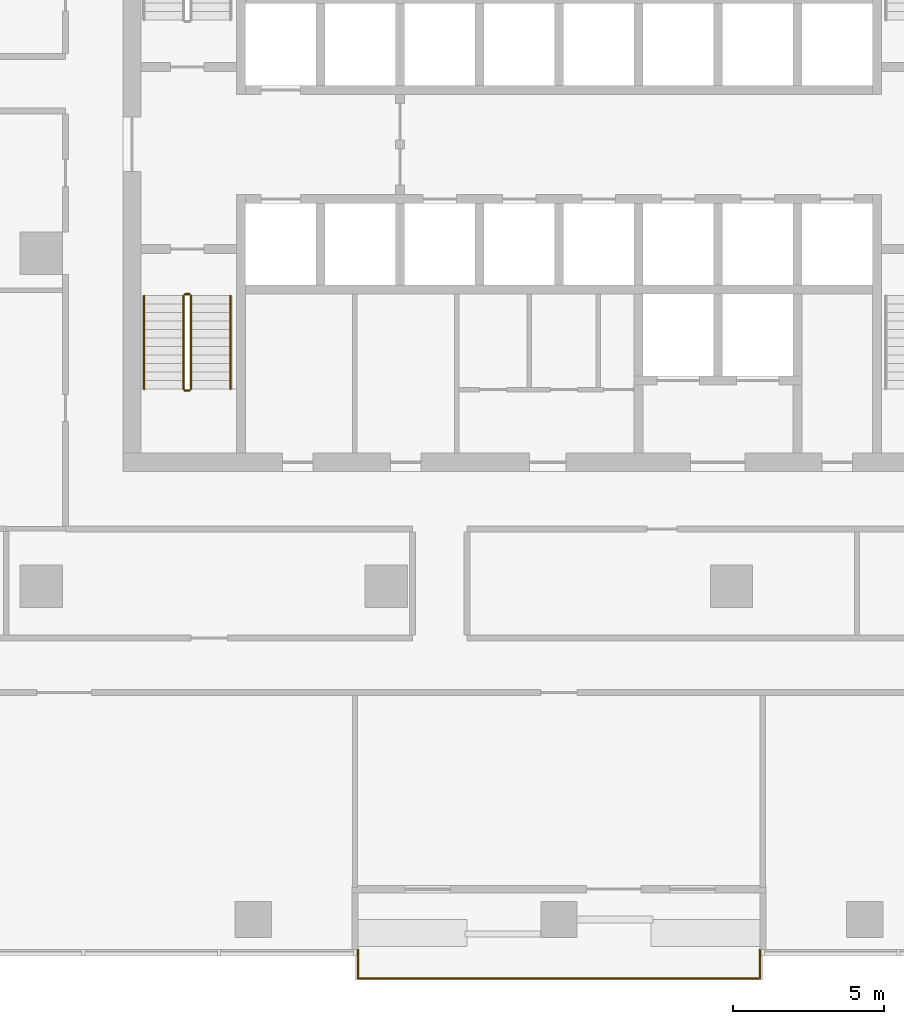
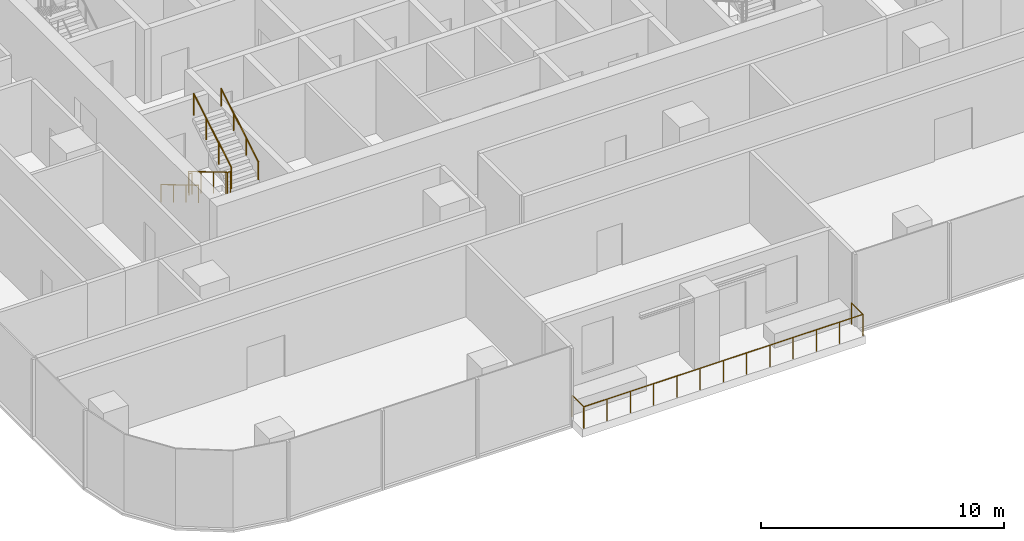
# One storey, part 12 of 15: 6 railings.
"""IFC4 building model written with IfcOpenShell, lengths in metres."""

import ifcopenshell
import ifcopenshell.guid

model = None  # the IFC model being written
_history = None  # IfcOwnerHistory: only IFC2X3 demands one
_inside = {}  # id of a spatial element -> (the spatial element, [elements in it])
_under = {}  # id of a project, library or spatial element -> (it, [spatial elements below it])
_declared = {}  # id of a project -> (the project, [libraries it declares])
_typed = {}  # id of a type object -> (the type object, [elements of that type])
_made_of = {}  # id of a material, layer set ... -> (it, [elements and type objects made of it])


def new_model(schema):
    """Start an empty IFC model of exactly this schema.

    Asked for "IFC4X3", IfcOpenShell would pick the latest addendum, in which some entities
    have other attributes; the version numbers below select the first issue.
    IFC2X3 requires an IfcOwnerHistory on every rooted entity: one is made here for all.
    """
    global model, _history
    if schema == "IFC4X3":
        model = ifcopenshell.file(schema_version=(4, 3, 0, 0))
    else:
        model = ifcopenshell.file(schema=schema)
    _inside.clear()
    _under.clear()
    _declared.clear()
    _typed.clear()
    _made_of.clear()
    _history = None
    if model.schema == "IFC2X3":
        org = make("IfcOrganization", Name="unknown")
        user = make(
            "IfcPersonAndOrganization",
            ThePerson=make("IfcPerson", FamilyName="unknown"),
            TheOrganization=org,
        )
        app = make(
            "IfcApplication",
            ApplicationDeveloper=org,
            Version="unknown",
            ApplicationFullName="unknown",
            ApplicationIdentifier="unknown",
        )
        _history = make(
            "IfcOwnerHistory",
            OwningUser=user,
            OwningApplication=app,
            ChangeAction="ADDED",
            CreationDate=0,
        )
    return model


def make(cls, **values):
    """One entity of the class cls with the attributes given. An attribute that is None is left unset."""
    return model.create_entity(
        cls, **{name: value for name, value in values.items() if value is not None}
    )


def rooted(cls, **values):
    """An entity with a GlobalId (a new one), such as an element, a storey or a relation."""
    return make(cls, GlobalId=ifcopenshell.guid.new(), OwnerHistory=_history, **values)


def si_unit(unit_type, name, prefix=None):
    """IfcSIUnit, for example si_unit("LENGTHUNIT", "METRE", prefix="MILLI")."""
    return make("IfcSIUnit", UnitType=unit_type, Prefix=prefix, Name=name)


def assignment(units):
    """IfcUnitAssignment: the units of a project."""
    return None if units is None else make("IfcUnitAssignment", Units=units)


def point(xyz):
    """IfcCartesianPoint."""
    return None if xyz is None else make("IfcCartesianPoint", Coordinates=xyz)


def direction(xyz):
    """IfcDirection."""
    return None if xyz is None else make("IfcDirection", DirectionRatios=xyz)


def frame(location, z_axis=None, x_axis=None):
    """IfcAxis2Placement3D, a coordinate frame: its origin and axes. An axis left out is left unset."""
    return make(
        "IfcAxis2Placement3D",
        Location=point(location),
        Axis=direction(z_axis),
        RefDirection=direction(x_axis),
    )


def frame_2d(location, x_axis=None):
    """IfcAxis2Placement2D, a coordinate frame in the plane: its origin and x axis."""
    return make(
        "IfcAxis2Placement2D", Location=point(location), RefDirection=direction(x_axis)
    )


def origin():
    """The frame at (0, 0, 0) with its axes left unset."""
    return frame((0.0, 0.0, 0.0))


def origin_2d():
    """The frame at (0, 0) in the plane with its x axis left unset."""
    return frame_2d((0.0, 0.0))


def place(relative_to, where):
    """IfcLocalPlacement: puts the frame where relative to a parent placement (None: the world)."""
    return make(
        "IfcLocalPlacement", PlacementRelTo=relative_to, RelativePlacement=where
    )


def context(
    kind, dimensions, precision=None, world=None, true_north=None, identifier=None
):
    """IfcGeometricRepresentationContext, for example the 3D "Model" context."""
    return make(
        "IfcGeometricRepresentationContext",
        ContextIdentifier=identifier,
        ContextType=kind,
        CoordinateSpaceDimension=dimensions,
        Precision=precision,
        WorldCoordinateSystem=world,
        TrueNorth=true_north,
    )


def subcontext(parent, identifier, kind, view, scale=None):
    """IfcGeometricRepresentationSubContext, for example "Body" below "Model"."""
    return make(
        "IfcGeometricRepresentationSubContext",
        ContextIdentifier=identifier,
        ContextType=kind,
        ParentContext=parent,
        TargetScale=scale,
        TargetView=view,
    )


def project(units=None, contexts=None):
    """IfcProject with its units and contexts."""
    return rooted(
        "IfcProject",
        Name="project",
        RepresentationContexts=contexts,
        UnitsInContext=assignment(units),
    )


def spatial(cls, under=None, at=None, **own):
    """A site, building, storey or space (cls), placed at a placement, below another one or the project."""
    s = rooted(cls, ObjectPlacement=at, **own)
    if under is not None:
        _under.setdefault(under.id(), (under, []))[1].append(s)
    return s


def profile(cls, at=None, kind="AREA", **sizes):
    """A parametric profile (cls). Its sizes go by their IFC names, for example OverallWidth=200.0."""
    return make(cls, ProfileType=kind, Position=at, **sizes)


def circle(**sizes):
    """IfcCircleProfileDef."""
    return profile("IfcCircleProfileDef", **sizes)


def extrude(swept, where, along, depth):
    """IfcExtrudedAreaSolid: the profile swept, set in the frame where, extruded along a direction by depth."""
    return make(
        "IfcExtrudedAreaSolid",
        SweptArea=swept,
        Position=where,
        ExtrudedDirection=direction(along),
        Depth=depth,
    )


def shape(context_of_items, identifier, shape_type, items):
    """IfcShapeRepresentation: the items that make up one representation, for example the "Body"."""
    return make(
        "IfcShapeRepresentation",
        ContextOfItems=context_of_items,
        RepresentationIdentifier=identifier,
        RepresentationType=shape_type,
        Items=items,
    )


def material(Name=None, Category=None):
    """IfcMaterial."""
    return make("IfcMaterial", Name=Name, Category=Category)


def made_of(thing, what):
    """Note that an element or type object is made of a material, layer set ...; save() writes the relation."""
    if what is not None:
        _made_of.setdefault(what.id(), (what, []))[1].append(thing)
    return thing


def type_object(cls, material=None, **own):
    """A type object (cls), such as IfcWallType, which elements share."""
    return made_of(rooted(cls, **own), material)


def element(
    cls,
    number,
    at=None,
    inside=None,
    cuts=None,
    type_object=None,
    material=None,
    context=None,
    identifier="Body",
    shape_type=None,
    held_by="IfcProductDefinitionShape",
    body=None,
    shapes=None,
    **own,
):
    """One element of the class cls, such as IfcWall. Its Tag is "e" and its number.

    at: its placement. inside: the storey or other place that contains it. cuts: it is an
    opening in that element (IfcRelVoidsElement). A single representation is given by context,
    identifier, shape_type and body (its items); several are given by shapes. held_by: the class
    of the entity that holds the representations. save() writes the other relations.
    """
    e = rooted(cls, Tag="e%d" % number, ObjectPlacement=at, **own)
    if body is not None:
        shapes = [shape(context, identifier, shape_type, body)]
    if shapes is not None:
        e.Representation = make(held_by, Representations=shapes)
    if inside is not None:
        _inside.setdefault(inside.id(), (inside, []))[1].append(e)
    if cuts is not None:
        rooted(
            "IfcRelVoidsElement", RelatingBuildingElement=cuts, RelatedOpeningElement=e
        )
    if type_object is not None:
        _typed.setdefault(type_object.id(), (type_object, []))[1].append(e)
    return made_of(e, material)


def aggregate(whole, parts):
    """IfcRelAggregates: a whole, such as a stair, and the parts it consists of."""
    return rooted("IfcRelAggregates", RelatingObject=whole, RelatedObjects=parts)


def save(model, path):
    """Write the relations noted so far, then the file.

    IfcRelAggregates (storeys below a building ...), IfcRelContainedInSpatialStructure (elements
    in a storey), IfcRelDefinesByType, IfcRelAssociatesMaterial and IfcRelDeclares: one each for
    every whole, place, type object, material and project.
    """
    for whole, parts in _under.values():
        aggregate(whole, parts)
    for where, things in _inside.values():
        rooted(
            "IfcRelContainedInSpatialStructure",
            RelatedElements=things,
            RelatingStructure=where,
        )
    for kind, things in _typed.values():
        rooted("IfcRelDefinesByType", RelatedObjects=things, RelatingType=kind)
    for what, things in _made_of.values():
        rooted("IfcRelAssociatesMaterial", RelatedObjects=things, RelatingMaterial=what)
    for by, libraries in _declared.values():
        rooted("IfcRelDeclares", RelatingContext=by, RelatedDefinitions=libraries)
    model.write(path)


model = new_model("IFC4")

# Units and contexts
model_context = context("Model", 3, precision=1e-05, world=origin(), true_north=direction((0.0, 1.0)))
body_context = subcontext(model_context, "Body", "Model", "MODEL_VIEW")
ifc_project = project(units=[si_unit("LENGTHUNIT", "METRE"), si_unit("AREAUNIT", "SQUARE_METRE"), si_unit("VOLUMEUNIT", "CUBIC_METRE"), si_unit("PLANEANGLEUNIT", "RADIAN"), si_unit("MASSUNIT", "GRAM", prefix="KILO")], contexts=[model_context])

# Site, building, storey
site_placement = place(None, origin())
site = spatial("IfcSite", under=ifc_project, at=site_placement, CompositionType="ELEMENT")
building_placement = place(site_placement, origin())
building = spatial("IfcBuilding", under=site, at=building_placement, Name="Mopane Tessera Tower", CompositionType="ELEMENT")
storey_placement = place(building_placement, frame((0.0, 0.0, 173.0)))
storey = spatial("IfcBuildingStorey", under=building, at=storey_placement, Name="L35", CompositionType="ELEMENT", Elevation=173.0)

# Railings
ifc_material_1 = material(Name="Powder-coated steel balustrade", Category="steel")
railing_type_1 = type_object("IfcRailingType", Name="Escape stair guard 1100 mm", PredefinedType="GUARDRAIL", material=ifc_material_1)
railing_1_placement = place(storey_placement, frame((-12.39990234375, -1.39990234375, 0.166748046875)))
element("IfcRailing", 1, at=railing_1_placement, inside=storey, type_object=railing_type_1, Name="L35 ST1 stair guard 1", PredefinedType="GUARDRAIL", context=body_context, shape_type="SweptSolid", body=[
    extrude(circle(Radius=0.02392578125, at=origin_2d()), frame((0.0, 0.0, 1.076171875), z_axis=(0.0, -0.859308565015, 0.511457515432), x_axis=(1.0, 0.0, 0.0)), (0.0, 0.0, 1.0), 3.58447265625),
    extrude(circle(Radius=0.02392578125, at=origin_2d()), frame((0.0, -3.080078125, 2.9091796875), z_axis=(0.705375805398, -0.708833529934, 0.0), x_axis=(0.708833529934, 0.705375805398, 0.0)), (0.0, 0.0, 1.0), 0.070556640625),
    extrude(circle(Radius=0.02392578125, at=origin_2d()), frame((0.0498046875, -3.130126953125, 2.9091796875), z_axis=(1.0, 0.0, 0.0), x_axis=(0.0, 1.0, 0.0)), (0.0, 0.0, 1.0), 0.150146484375),
    extrude(circle(Radius=0.02099609375, at=origin_2d()), origin(), (0.0, 0.0, 1.0), 1.052001953125),
    extrude(circle(Radius=0.02099609375, at=origin_2d()), frame((0.0, -1.026611328125, 0.611083984375)), (0.0, 0.0, 1.0), 1.052001953125),
    extrude(circle(Radius=0.02099609375, at=origin_2d()), frame((0.0, -2.053466796875, 1.22216796875)), (0.0, 0.0, 1.0), 1.052001953125),
    extrude(circle(Radius=0.02099609375, at=origin_2d()), frame((0.0, -3.080078125, 1.833251953125)), (0.0, 0.0, 1.0), 1.052001953125),
    extrude(circle(Radius=0.02099609375, at=origin_2d()), frame((0.0498046875, -3.130126953125, 1.833251953125)), (0.0, 0.0, 1.0), 1.052001953125),
    extrude(circle(Radius=0.02099609375, at=origin_2d()), frame((0.199951171875, -3.130126953125, 1.833251953125)), (0.0, 0.0, 1.0), 1.052001953125),
])
railing_2_placement = place(storey_placement, frame((-12.14990234375, -4.47998046875, 2.166748046875)))
element("IfcRailing", 2, at=railing_2_placement, inside=storey, type_object=railing_type_1, Name="L35 ST1 stair guard 2", PredefinedType="GUARDRAIL", context=body_context, shape_type="SweptSolid", body=[
    extrude(circle(Radius=0.02392578125, at=origin_2d()), frame((0.0, 0.0, 1.076171875), z_axis=(0.0, 0.859308565015, 0.511457515432), x_axis=(-1.0, 0.0, 0.0)), (0.0, 0.0, 1.0), 3.58447265625),
    extrude(circle(Radius=0.02099609375, at=origin_2d()), origin(), (0.0, 0.0, 1.0), 1.052001953125),
    extrude(circle(Radius=0.02099609375, at=origin_2d()), frame((0.0, 1.026611328125, 0.611083984375)), (0.0, 0.0, 1.0), 1.052001953125),
    extrude(circle(Radius=0.02099609375, at=origin_2d()), frame((0.0, 2.053466796875, 1.22216796875)), (0.0, 0.0, 1.0), 1.052001953125),
    extrude(circle(Radius=0.02099609375, at=origin_2d()), frame((0.0, 3.080078125, 1.833251953125)), (0.0, 0.0, 1.0), 1.052001953125),
])
railing_3_placement = place(storey_placement, frame((-12.35009765625, -1.35009765625, 0.0)))
element("IfcRailing", 3, at=railing_3_placement, inside=storey, type_object=railing_type_1, Name="L35 ST1 stair guard 3", PredefinedType="GUARDRAIL", context=body_context, shape_type="SweptSolid", body=[
    extrude(circle(Radius=0.02392578125, at=origin_2d()), frame((0.0, 0.0, 1.076171875), z_axis=(1.0, 0.0, 0.0), x_axis=(0.0, 1.0, 0.0)), (0.0, 0.0, 1.0), 0.150146484375),
    extrude(circle(Radius=0.02099609375, at=origin_2d()), origin(), (0.0, 0.0, 1.0), 1.052001953125),
    extrude(circle(Radius=0.02099609375, at=origin_2d()), frame((0.150146484375, 0.0, 0.0)), (0.0, 0.0, 1.0), 1.052001953125),
])
ifc_material_2 = material(Name="Powder-coated steel balustrade", Category="steel")
railing_type_2 = type_object("IfcRailingType", Name="Escape stair handrail 900 mm", PredefinedType="HANDRAIL", material=ifc_material_2)
railing_4_placement = place(storey_placement, frame((-13.699951171875, -1.39990234375, 0.166748046875)))
element("IfcRailing", 4, at=railing_4_placement, inside=storey, type_object=railing_type_2, Name="L35 ST1 stair handrail 1", PredefinedType="HANDRAIL", context=body_context, shape_type="SweptSolid", body=[
    extrude(circle(Radius=0.02392578125, at=origin_2d()), frame((0.0, 0.0, 0.8759765625), z_axis=(0.0, -0.859308565015, 0.511457515432), x_axis=(1.0, 0.0, 0.0)), (0.0, 0.0, 1.0), 3.58447265625),
    extrude(circle(Radius=0.02099609375, at=origin_2d()), origin(), (0.0, 0.0, 1.0), 0.851806640625),
    extrude(circle(Radius=0.02099609375, at=origin_2d()), frame((0.0, -1.026611328125, 0.611083984375)), (0.0, 0.0, 1.0), 0.851806640625),
    extrude(circle(Radius=0.02099609375, at=origin_2d()), frame((0.0, -2.053466796875, 1.22216796875)), (0.0, 0.0, 1.0), 0.851806640625),
    extrude(circle(Radius=0.02099609375, at=origin_2d()), frame((0.0, -3.080078125, 1.833251953125)), (0.0, 0.0, 1.0), 0.851806640625),
])
railing_5_placement = place(storey_placement, frame((-10.85009765625, -4.47998046875, 2.166748046875)))
element("IfcRailing", 5, at=railing_5_placement, inside=storey, type_object=railing_type_2, Name="L35 ST1 stair handrail 2", PredefinedType="HANDRAIL", context=body_context, shape_type="SweptSolid", body=[
    extrude(circle(Radius=0.02392578125, at=origin_2d()), frame((0.0, 0.0, 0.8759765625), z_axis=(0.0, 0.859308565015, 0.511457515432), x_axis=(-1.0, 0.0, 0.0)), (0.0, 0.0, 1.0), 3.58447265625),
    extrude(circle(Radius=0.02099609375, at=origin_2d()), origin(), (0.0, 0.0, 1.0), 0.851806640625),
    extrude(circle(Radius=0.02099609375, at=origin_2d()), frame((0.0, 1.026611328125, 0.611083984375)), (0.0, 0.0, 1.0), 0.851806640625),
    extrude(circle(Radius=0.02099609375, at=origin_2d()), frame((0.0, 2.053466796875, 1.22216796875)), (0.0, 0.0, 1.0), 0.851806640625),
    extrude(circle(Radius=0.02099609375, at=origin_2d()), frame((0.0, 3.080078125, 1.833251953125)), (0.0, 0.0, 1.0), 0.851806640625),
])
ifc_material_3 = material(Name="Stainless steel S316", Category="steel")
railing_type_3 = type_object("IfcRailingType", Name="Terrace guard 1100", PredefinedType="GUARDRAIL", material=ifc_material_3)
railing_6_placement = place(storey_placement, frame((-6.63330078125, -23.0, 0.0)))
element("IfcRailing", 6, at=railing_6_placement, inside=storey, type_object=railing_type_3, Name="e:nw:L35:N2:guard", PredefinedType="GUARDRAIL", context=body_context, shape_type="SweptSolid", body=[
    extrude(circle(Radius=0.02392578125, at=origin_2d()), frame((0.0, 0.0, 1.076171875), z_axis=(0.0, -1.0, 0.0), x_axis=(1.0, 0.0, 0.0)), (0.0, 0.0, 1.0), 0.949951171875),
    extrude(circle(Radius=0.02392578125, at=origin_2d()), frame((0.0, -0.949951171875, 1.076171875), z_axis=(1.0, 0.0, 0.0), x_axis=(0.0, 1.0, 0.0)), (0.0, 0.0, 1.0), 13.2666015625),
    extrude(circle(Radius=0.02392578125, at=origin_2d()), frame((13.2666015625, -0.949951171875, 1.076171875), z_axis=(0.0, 1.0, 0.0), x_axis=(-1.0, 0.0, 0.0)), (0.0, 0.0, 1.0), 0.949951171875),
    extrude(circle(Radius=0.02099609375, at=origin_2d()), origin(), (0.0, 0.0, 1.0), 1.052001953125),
    extrude(circle(Radius=0.02099609375, at=origin_2d()), frame((0.0, -0.949951171875, 0.0)), (0.0, 0.0, 1.0), 1.052001953125),
    extrude(circle(Radius=0.02099609375, at=origin_2d()), frame((1.10546875, -0.949951171875, 0.0)), (0.0, 0.0, 1.0), 1.052001953125),
    extrude(circle(Radius=0.02099609375, at=origin_2d()), frame((2.211181640625, -0.949951171875, 0.0)), (0.0, 0.0, 1.0), 1.052001953125),
    extrude(circle(Radius=0.02099609375, at=origin_2d()), frame((3.316650390625, -0.949951171875, 0.0)), (0.0, 0.0, 1.0), 1.052001953125),
    extrude(circle(Radius=0.02099609375, at=origin_2d()), frame((4.422119140625, -0.949951171875, 0.0)), (0.0, 0.0, 1.0), 1.052001953125),
    extrude(circle(Radius=0.02099609375, at=origin_2d()), frame((5.52783203125, -0.949951171875, 0.0)), (0.0, 0.0, 1.0), 1.052001953125),
    extrude(circle(Radius=0.02099609375, at=origin_2d()), frame((6.63330078125, -0.949951171875, 0.0)), (0.0, 0.0, 1.0), 1.052001953125),
    extrude(circle(Radius=0.02099609375, at=origin_2d()), frame((7.73876953125, -0.949951171875, 0.0)), (0.0, 0.0, 1.0), 1.052001953125),
    extrude(circle(Radius=0.02099609375, at=origin_2d()), frame((8.844482421875, -0.949951171875, 0.0)), (0.0, 0.0, 1.0), 1.052001953125),
    extrude(circle(Radius=0.02099609375, at=origin_2d()), frame((9.949951171875, -0.949951171875, 0.0)), (0.0, 0.0, 1.0), 1.052001953125),
    extrude(circle(Radius=0.02099609375, at=origin_2d()), frame((11.055419921875, -0.949951171875, 0.0)), (0.0, 0.0, 1.0), 1.052001953125),
    extrude(circle(Radius=0.02099609375, at=origin_2d()), frame((12.1611328125, -0.949951171875, 0.0)), (0.0, 0.0, 1.0), 1.052001953125),
    extrude(circle(Radius=0.02099609375, at=origin_2d()), frame((13.2666015625, -0.949951171875, 0.0)), (0.0, 0.0, 1.0), 1.052001953125),
    extrude(circle(Radius=0.02099609375, at=origin_2d()), frame((13.2666015625, 0.0, 0.0)), (0.0, 0.0, 1.0), 1.052001953125),
])

save(model, "model.ifc")
